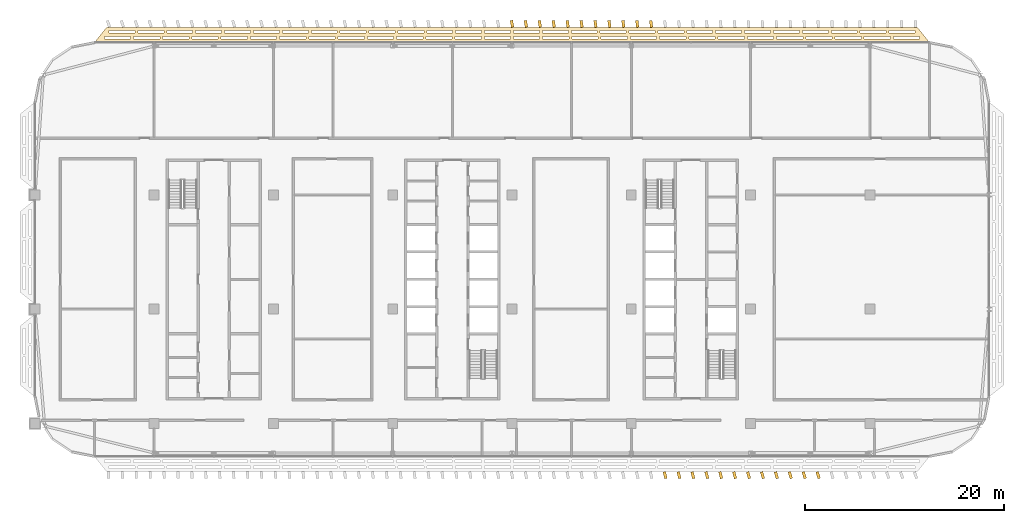
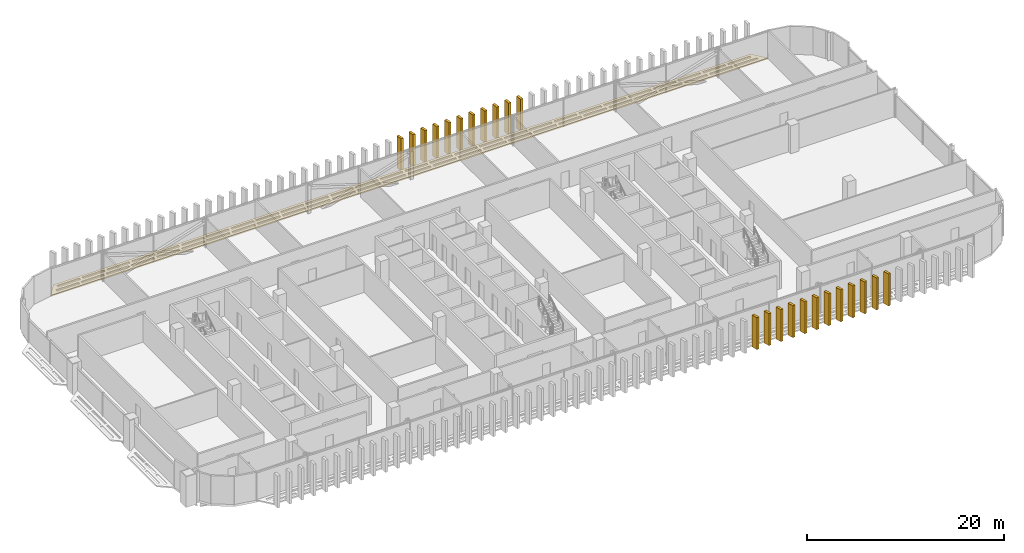
# One storey, part 33 of 35: 24 coverings.
"""IFC4 building model written with IfcOpenShell, lengths in metres."""

from ifc_helpers import new_model, si_unit, direction, frame, origin, origin_2d, place, context, subcontext, project, spatial, polyline, rectangle, outline, extrude, material, layer, layer_set, type_object, element, save


model = new_model("IFC4")

# Units and contexts
model_context = context("Model", 3, precision=1e-05, world=origin(), true_north=direction((0.0, 1.0)))
body_context = subcontext(model_context, "Body", "Model", "MODEL_VIEW")
ifc_project = project(units=[si_unit("LENGTHUNIT", "METRE"), si_unit("AREAUNIT", "SQUARE_METRE"), si_unit("VOLUMEUNIT", "CUBIC_METRE"), si_unit("PLANEANGLEUNIT", "RADIAN"), si_unit("MASSUNIT", "GRAM", prefix="KILO")], contexts=[model_context])

# Site, building, storey
site_placement = place(None, origin())
site = spatial("IfcSite", under=ifc_project, at=site_placement, CompositionType="ELEMENT")
building_placement = place(site_placement, origin())
building = spatial("IfcBuilding", under=site, at=building_placement, Name="Mahtab Terrace Research Tower", CompositionType="ELEMENT")
storey_placement = place(building_placement, frame((0.0, 0.0, 251.39990234375)))
storey = spatial("IfcBuildingStorey", under=building, at=storey_placement, Name="L61", CompositionType="ELEMENT", Elevation=251.39990234375)

# Coverings
ifc_material_1 = material(Name="Black anodised aluminium", Category="aluminium")
ifc_layer_1 = layer(ifc_material_1, 0.14990234375)
ifc_layer_set_1 = layer_set([ifc_layer_1], Name="Horizontal sunshade band")
covering_type_1 = type_object("IfcCoveringType", Name="Horizontal sunshade band", PredefinedType="CLADDING", material=ifc_layer_set_1)
covering_placement = place(storey_placement, frame((0.0, 0.0, -0.14990234375)))
element("IfcCovering", 1, at=covering_placement, inside=storey, type_object=covering_type_1, Name="Sunshade band L61 4", PredefinedType="CLADDING", context=body_context, shape_type="SweptSolid", body=[
    extrude(outline(polyline([(48.0, 26.833984375), (-36.0, 26.833984375), (-34.800048828125, 28.333984375), (46.800048828125, 28.333984375), (48.0, 26.833984375)]), holes=[polyline([(47.02001953125, 27.18408203125), (44.37890625, 27.18408203125), (44.37890625, 27.43408203125), (47.02001953125, 27.43408203125), (47.02001953125, 27.18408203125)]), polyline([(44.0791015625, 27.18408203125), (41.43896484375, 27.18408203125), (41.43896484375, 27.43408203125), (44.0791015625, 27.43408203125), (44.0791015625, 27.18408203125)]), polyline([(41.138916015625, 27.18408203125), (38.498046875, 27.18408203125), (38.498046875, 27.43408203125), (41.138916015625, 27.43408203125), (41.138916015625, 27.18408203125)]), polyline([(38.197998046875, 27.18408203125), (35.556884765625, 27.18408203125), (35.556884765625, 27.43408203125), (38.197998046875, 27.43408203125), (38.197998046875, 27.18408203125)]), polyline([(35.257080078125, 27.18408203125), (32.615966796875, 27.18408203125), (32.615966796875, 27.43408203125), (35.257080078125, 27.43408203125), (35.257080078125, 27.18408203125)]), polyline([(32.31591796875, 27.18408203125), (29.676025390625, 27.18408203125), (29.676025390625, 27.43408203125), (32.31591796875, 27.43408203125), (32.31591796875, 27.18408203125)]), polyline([(29.3759765625, 27.18408203125), (26.735107421875, 27.18408203125), (26.735107421875, 27.43408203125), (29.3759765625, 27.43408203125), (29.3759765625, 27.18408203125)]), polyline([(26.43505859375, 27.18408203125), (23.7939453125, 27.18408203125), (23.7939453125, 27.43408203125), (26.43505859375, 27.43408203125), (26.43505859375, 27.18408203125)]), polyline([(23.493896484375, 27.18408203125), (20.85400390625, 27.18408203125), (20.85400390625, 27.43408203125), (23.493896484375, 27.43408203125), (23.493896484375, 27.18408203125)]), polyline([(20.553955078125, 27.18408203125), (17.9130859375, 27.18408203125), (17.9130859375, 27.43408203125), (20.553955078125, 27.43408203125), (20.553955078125, 27.18408203125)]), polyline([(17.613037109375, 27.18408203125), (14.971923828125, 27.18408203125), (14.971923828125, 27.43408203125), (17.613037109375, 27.43408203125), (17.613037109375, 27.18408203125)]), polyline([(14.672119140625, 27.18408203125), (12.031005859375, 27.18408203125), (12.031005859375, 27.43408203125), (14.672119140625, 27.43408203125), (14.672119140625, 27.18408203125)]), polyline([(11.73095703125, 27.18408203125), (9.091064453125, 27.18408203125), (9.091064453125, 27.43408203125), (11.73095703125, 27.43408203125), (11.73095703125, 27.18408203125)]), polyline([(8.791015625, 27.18408203125), (6.14990234375, 27.18408203125), (6.14990234375, 27.43408203125), (8.791015625, 27.43408203125), (8.791015625, 27.18408203125)]), polyline([(5.85009765625, 27.18408203125), (3.208984375, 27.18408203125), (3.208984375, 27.43408203125), (5.85009765625, 27.43408203125), (5.85009765625, 27.18408203125)]), polyline([(2.908935546875, 27.18408203125), (0.26904296875, 27.18408203125), (0.26904296875, 27.43408203125), (2.908935546875, 27.43408203125), (2.908935546875, 27.18408203125)]), polyline([(-0.031005859375, 27.18408203125), (-2.672119140625, 27.18408203125), (-2.672119140625, 27.43408203125), (-0.031005859375, 27.43408203125), (-0.031005859375, 27.18408203125)]), polyline([(-2.971923828125, 27.18408203125), (-5.613037109375, 27.18408203125), (-5.613037109375, 27.43408203125), (-2.971923828125, 27.43408203125), (-2.971923828125, 27.18408203125)]), polyline([(-5.9130859375, 27.18408203125), (-8.553955078125, 27.18408203125), (-8.553955078125, 27.43408203125), (-5.9130859375, 27.43408203125), (-5.9130859375, 27.18408203125)]), polyline([(-8.85400390625, 27.18408203125), (-11.493896484375, 27.18408203125), (-11.493896484375, 27.43408203125), (-8.85400390625, 27.43408203125), (-8.85400390625, 27.18408203125)]), polyline([(-11.7939453125, 27.18408203125), (-14.43505859375, 27.18408203125), (-14.43505859375, 27.43408203125), (-11.7939453125, 27.43408203125), (-11.7939453125, 27.18408203125)]), polyline([(-14.735107421875, 27.18408203125), (-17.3759765625, 27.18408203125), (-17.3759765625, 27.43408203125), (-14.735107421875, 27.43408203125), (-14.735107421875, 27.18408203125)]), polyline([(-17.676025390625, 27.18408203125), (-20.31591796875, 27.18408203125), (-20.31591796875, 27.43408203125), (-17.676025390625, 27.43408203125), (-17.676025390625, 27.18408203125)]), polyline([(-20.615966796875, 27.18408203125), (-23.257080078125, 27.18408203125), (-23.257080078125, 27.43408203125), (-20.615966796875, 27.43408203125), (-20.615966796875, 27.18408203125)]), polyline([(-23.556884765625, 27.18408203125), (-26.197998046875, 27.18408203125), (-26.197998046875, 27.43408203125), (-23.556884765625, 27.43408203125), (-23.556884765625, 27.18408203125)]), polyline([(-26.498046875, 27.18408203125), (-29.138916015625, 27.18408203125), (-29.138916015625, 27.43408203125), (-26.498046875, 27.43408203125), (-26.498046875, 27.18408203125)]), polyline([(-29.43896484375, 27.18408203125), (-32.0791015625, 27.18408203125), (-32.0791015625, 27.43408203125), (-29.43896484375, 27.43408203125), (-29.43896484375, 27.18408203125)]), polyline([(-32.37890625, 27.18408203125), (-35.02001953125, 27.18408203125), (-35.02001953125, 27.43408203125), (-32.37890625, 27.43408203125), (-32.37890625, 27.18408203125)]), polyline([(46.5400390625, 27.783935546875), (43.93408203125, 27.783935546875), (43.93408203125, 28.033935546875), (46.5400390625, 28.033935546875), (46.5400390625, 27.783935546875)]), polyline([(43.634033203125, 27.783935546875), (41.027099609375, 27.783935546875), (41.027099609375, 28.033935546875), (43.634033203125, 28.033935546875), (43.634033203125, 27.783935546875)]), polyline([(40.72705078125, 27.783935546875), (38.12109375, 27.783935546875), (38.12109375, 28.033935546875), (40.72705078125, 28.033935546875), (40.72705078125, 27.783935546875)]), polyline([(37.821044921875, 27.783935546875), (35.214111328125, 27.783935546875), (35.214111328125, 28.033935546875), (37.821044921875, 28.033935546875), (37.821044921875, 27.783935546875)]), polyline([(34.9140625, 27.783935546875), (32.30810546875, 27.783935546875), (32.30810546875, 28.033935546875), (34.9140625, 28.033935546875), (34.9140625, 27.783935546875)]), polyline([(32.008056640625, 27.783935546875), (29.40087890625, 27.783935546875), (29.40087890625, 28.033935546875), (32.008056640625, 28.033935546875), (32.008056640625, 27.783935546875)]), polyline([(29.10107421875, 27.783935546875), (26.4951171875, 27.783935546875), (26.4951171875, 28.033935546875), (29.10107421875, 28.033935546875), (29.10107421875, 27.783935546875)]), polyline([(26.195068359375, 27.783935546875), (23.589111328125, 27.783935546875), (23.589111328125, 28.033935546875), (26.195068359375, 28.033935546875), (26.195068359375, 27.783935546875)]), polyline([(23.2890625, 27.783935546875), (20.681884765625, 27.783935546875), (20.681884765625, 28.033935546875), (23.2890625, 28.033935546875), (23.2890625, 27.783935546875)]), polyline([(20.382080078125, 27.783935546875), (17.77587890625, 27.783935546875), (17.77587890625, 28.033935546875), (20.382080078125, 28.033935546875), (20.382080078125, 27.783935546875)]), polyline([(17.47607421875, 27.783935546875), (14.868896484375, 27.783935546875), (14.868896484375, 28.033935546875), (17.47607421875, 28.033935546875), (17.47607421875, 27.783935546875)]), polyline([(14.569091796875, 27.783935546875), (11.962890625, 27.783935546875), (11.962890625, 28.033935546875), (14.569091796875, 28.033935546875), (14.569091796875, 27.783935546875)]), polyline([(11.6630859375, 27.783935546875), (9.055908203125, 27.783935546875), (9.055908203125, 28.033935546875), (11.6630859375, 28.033935546875), (11.6630859375, 27.783935546875)]), polyline([(8.756103515625, 27.783935546875), (6.14990234375, 27.783935546875), (6.14990234375, 28.033935546875), (8.756103515625, 28.033935546875), (8.756103515625, 27.783935546875)]), polyline([(5.85009765625, 27.783935546875), (3.243896484375, 27.783935546875), (3.243896484375, 28.033935546875), (5.85009765625, 28.033935546875), (5.85009765625, 27.783935546875)]), polyline([(2.944091796875, 27.783935546875), (0.3369140625, 27.783935546875), (0.3369140625, 28.033935546875), (2.944091796875, 28.033935546875), (2.944091796875, 27.783935546875)]), polyline([(0.037109375, 27.783935546875), (-2.569091796875, 27.783935546875), (-2.569091796875, 28.033935546875), (0.037109375, 28.033935546875), (0.037109375, 27.783935546875)]), polyline([(-2.868896484375, 27.783935546875), (-5.47607421875, 27.783935546875), (-5.47607421875, 28.033935546875), (-2.868896484375, 28.033935546875), (-2.868896484375, 27.783935546875)]), polyline([(-5.77587890625, 27.783935546875), (-8.382080078125, 27.783935546875), (-8.382080078125, 28.033935546875), (-5.77587890625, 28.033935546875), (-5.77587890625, 27.783935546875)]), polyline([(-8.681884765625, 27.783935546875), (-11.2890625, 27.783935546875), (-11.2890625, 28.033935546875), (-8.681884765625, 28.033935546875), (-8.681884765625, 27.783935546875)]), polyline([(-11.589111328125, 27.783935546875), (-14.195068359375, 27.783935546875), (-14.195068359375, 28.033935546875), (-11.589111328125, 28.033935546875), (-11.589111328125, 27.783935546875)]), polyline([(-14.4951171875, 27.783935546875), (-17.10107421875, 27.783935546875), (-17.10107421875, 28.033935546875), (-14.4951171875, 28.033935546875), (-14.4951171875, 27.783935546875)]), polyline([(-17.40087890625, 27.783935546875), (-20.008056640625, 27.783935546875), (-20.008056640625, 28.033935546875), (-17.40087890625, 28.033935546875), (-17.40087890625, 27.783935546875)]), polyline([(-20.30810546875, 27.783935546875), (-22.9140625, 27.783935546875), (-22.9140625, 28.033935546875), (-20.30810546875, 28.033935546875), (-20.30810546875, 27.783935546875)]), polyline([(-23.214111328125, 27.783935546875), (-25.821044921875, 27.783935546875), (-25.821044921875, 28.033935546875), (-23.214111328125, 28.033935546875), (-23.214111328125, 27.783935546875)]), polyline([(-26.12109375, 27.783935546875), (-28.72705078125, 27.783935546875), (-28.72705078125, 28.033935546875), (-26.12109375, 28.033935546875), (-26.12109375, 27.783935546875)]), polyline([(-29.027099609375, 27.783935546875), (-31.634033203125, 27.783935546875), (-31.634033203125, 28.033935546875), (-29.027099609375, 28.033935546875), (-29.027099609375, 27.783935546875)]), polyline([(-31.93408203125, 27.783935546875), (-34.5400390625, 27.783935546875), (-34.5400390625, 28.033935546875), (-31.93408203125, 28.033935546875), (-31.93408203125, 27.783935546875)])]), origin(), (0.0, 0.0, 1.0), 0.14990234375),
])
ifc_material_2 = material(Name="Bronze anodised aluminium", Category="aluminium")
ifc_layer_2 = layer(ifc_material_2, 0.1201171875)
ifc_layer_set_2 = layer_set([ifc_layer_2], Name="Vertical fin 700")
covering_type_2 = type_object("IfcCoveringType", Name="Vertical fin 700", PredefinedType="CLADDING", material=ifc_layer_set_2)
for number, where, z_axis, x_axis, name in (
    (2, (20.0, 28.697998046875, -0.14990234375), (0.0, 0.0, 1.0), (-0.993238357741, -0.116092914131, 0.0), "Fin L61 N20"),
    (3, (18.60009765625, 28.698486328125, -0.14990234375), (0.0, 0.0, 1.0), (-0.992546151641, -0.121869343405, 0.0), "Fin L61 N21"),
    (4, (17.199951171875, 28.698974609375, -0.14990234375), (0.0, 0.0, 1.0), (-0.991820351542, -0.127641647855, 0.0), "Fin L61 N22"),
    (5, (15.800048828125, 28.699462890625, -0.14990234375), (0.0, 0.0, 1.0), (-0.991060982007, -0.133409632126, 0.0), "Fin L61 N23"),
    (6, (14.39990234375, 28.7001953125, -0.14990234375), (0.0, 0.0, 1.0), (-0.990268068742, -0.13917310096, 0.0), "Fin L61 N24"),
    (7, (13.0, 28.70068359375, -0.14990234375), (0.0, 0.0, 1.0), (-0.989441638582, -0.144931859301, 0.0), "Fin L61 N25"),
    (8, (11.60009765625, 28.701171875, -0.14990234375), (0.0, 0.0, 1.0), (-0.988581719496, -0.150685712255, 0.0), "Fin L61 N26"),
    (9, (10.199951171875, 28.70166015625, -0.14990234375), (0.0, 0.0, 1.0), (-0.987688340595, -0.15643446504, 0.0), "Fin L61 N27"),
    (10, (8.800048828125, 28.7021484375, -0.14990234375), (0.0, 0.0, 1.0), (-0.986761532114, -0.1621779231, 0.0), "Fin L61 N28"),
    (11, (7.39990234375, 28.70263671875, -0.14990234375), (0.0, 0.0, 1.0), (-0.985801325417, -0.167915892057, 0.0), "Fin L61 N29"),
    (12, (6.0, 28.702880859375, -0.14990234375), (0.0, 0.0, 1.0), (-0.984807753012, -0.173648177667, 0.0), "Fin L61 N30"),
    (13, (21.39990234375, -16.707275390625, -0.14990234375), (0.0, 0.0, 1.0), (0.97168674242, 0.236272881656, 0.0), "Fin L61 S41"),
    (14, (22.800048828125, -16.70751953125, -0.14990234375), (0.0, 0.0, 1.0), (0.970295726276, 0.2419218956, 0.0), "Fin L61 S42"),
    (15, (24.199951171875, -16.707763671875, -0.14990234375), (0.0, 0.0, 1.0), (0.968871869227, 0.247562721386, 0.0), "Fin L61 S43"),
    (16, (25.60009765625, -16.7080078125, -0.14990234375), (0.0, 0.0, 1.0), (0.967415219461, 0.25319516811, 0.0), "Fin L61 S44"),
    (17, (27.0, -16.708251953125, -0.14990234375), (0.0, 0.0, 1.0), (0.965925826289, 0.258819045103, 0.0), "Fin L61 S45"),
    (18, (28.39990234375, -16.70849609375, -0.14990234375), (0.0, 0.0, 1.0), (0.964403740116, 0.264434162032, 0.0), "Fin L61 S46"),
    (19, (29.800048828125, -16.708740234375, -0.14990234375), (0.0, 0.0, 1.0), (0.962849012456, 0.270040328864, 0.0), "Fin L61 S47"),
    (20, (31.199951171875, -16.708984375, -0.14990234375), (0.0, 0.0, 1.0), (0.961261695938, 0.275637355817, 0.0), "Fin L61 S48"),
    (21, (32.60009765625, -16.709228515625, -0.14990234375), (0.0, 0.0, 1.0), (0.959641844284, 0.28122505347, 0.0), "Fin L61 S49"),
    (22, (34.0, -16.70947265625, -0.14990234375), (0.0, 0.0, 1.0), (0.957989512314, 0.286803232717, 0.0), "Fin L61 S50"),
    (23, (35.39990234375, -16.709716796875, -0.14990234375), (0.0, 0.0, 1.0), (0.956304755963, 0.292371704723, 0.0), "Fin L61 S51"),
    (24, (36.800048828125, -16.709716796875, -0.14990234375), (0.0, 0.0, 1.0), (0.954587632249, 0.297930281033, 0.0), "Fin L61 S52"),
):
    element("IfcCovering", number, at=place(storey_placement, frame(where, z_axis=z_axis, x_axis=x_axis)), inside=storey, type_object=covering_type_2, Name=name, PredefinedType="CLADDING", context=body_context, shape_type="SweptSolid", body=[
        extrude(rectangle(XDim=0.280029296875, YDim=0.699951171875, at=origin_2d()), origin(), (0.0, 0.0, 1.0), 3.949951171875),
    ])

save(model, "model.ifc")
